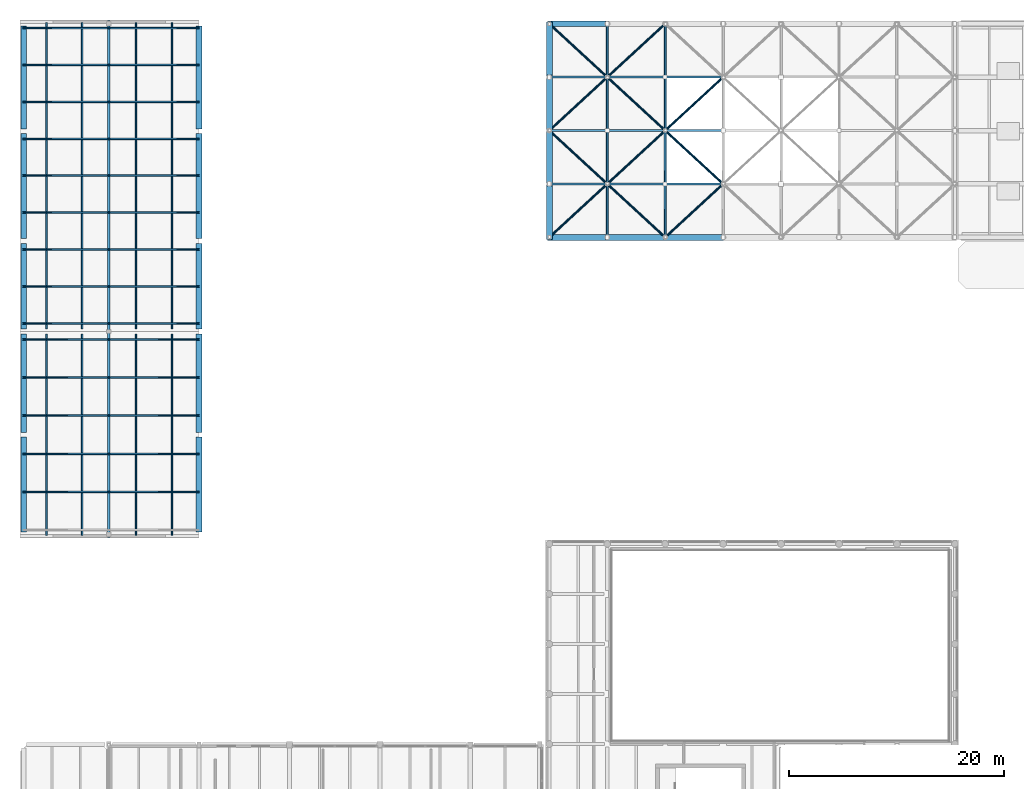
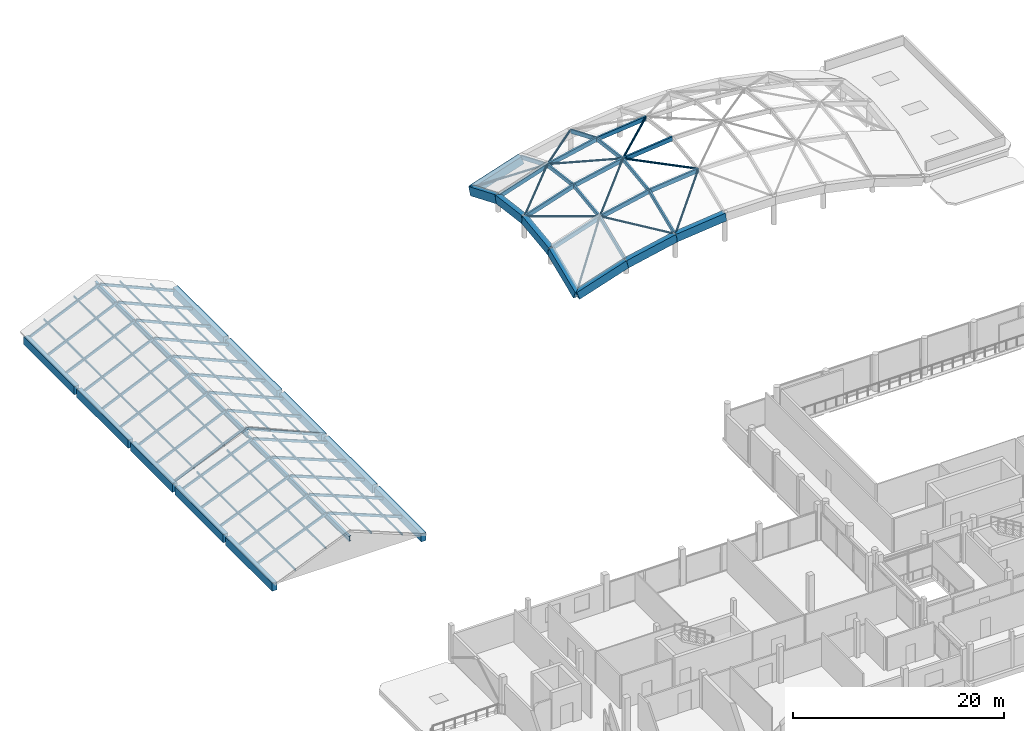
# One storey, part 19 of 66: 64 members, 20 beams.
"""IFC4 building model written with IfcOpenShell, lengths in metres."""

from ifc_helpers import new_model, si_unit, direction, frame, origin, origin_2d, place, context, subcontext, project, spatial, rectangle, hollow_circle, i_section, extrude, material, material_profile, profile_set, type_object, element, save


model = new_model("IFC4")

# Units and contexts
model_context = context("Model", 3, precision=1e-05, world=origin(), true_north=direction((0.0, 1.0)))
body_context = subcontext(model_context, "Body", "Model", "MODEL_VIEW")
ifc_project = project(units=[si_unit("LENGTHUNIT", "METRE"), si_unit("AREAUNIT", "SQUARE_METRE"), si_unit("VOLUMEUNIT", "CUBIC_METRE"), si_unit("PLANEANGLEUNIT", "RADIAN"), si_unit("MASSUNIT", "GRAM", prefix="KILO")], contexts=[model_context])

# Site, building, storey
site_placement = place(None, origin())
site = spatial("IfcSite", under=ifc_project, at=site_placement, CompositionType="ELEMENT")
building_placement = place(site_placement, origin())
building = spatial("IfcBuilding", under=site, at=building_placement, Name="Birchvale Park Specialist Clinic", CompositionType="ELEMENT")
storey_placement = place(building_placement, frame((0.0, 0.0, 5.39990234375)))
storey = spatial("IfcBuildingStorey", under=building, at=storey_placement, Name="L01", CompositionType="ELEMENT", Elevation=5.39990234375)

# Beams
ifc_material_1 = material(Name="Concrete C40/50", Category="concrete")
ifc_material_profile_1 = material_profile(ifc_material_1, rectangle(XDim=0.550048828125, YDim=0.93994140625, at=origin_2d()), Name="RCB-550x940")
ifc_profile_set_1 = profile_set([ifc_material_profile_1], Name="Concrete C40/50")
beam_type_1 = type_object("IfcBeamType", Name="BM-EXT-RB1", PredefinedType="BEAM", material=ifc_profile_set_1)
beam_1_placement = place(storey_placement, frame((52.14990234375, 91.550048828125, -0.64990234375), z_axis=(0.950354284012, 0.0, 0.311169945304), x_axis=(0.0, 1.0, 0.0)))
element("IfcBeam", 1, at=beam_1_placement, inside=storey, type_object=beam_type_1, Name="V3 gridshell perimeter ring beam 1", PredefinedType="BEAM", context=body_context, shape_type="SweptSolid", body=[
    extrude(rectangle(XDim=0.550048828125, YDim=0.93994140625, at=origin_2d()), origin(), (0.0, 0.0, 1.0), 5.6669921875),
])
beam_2_placement = place(storey_placement, frame((57.53564453125, 91.550048828125, 1.113525390625), z_axis=(0.978246670793, 0.0, 0.207445055574), x_axis=(0.0, 1.0, 0.0)))
element("IfcBeam", 2, at=beam_2_placement, inside=storey, type_object=beam_type_1, Name="V3 gridshell perimeter ring beam 2", PredefinedType="BEAM", context=body_context, shape_type="SweptSolid", body=[
    extrude(rectangle(XDim=0.550048828125, YDim=0.93994140625, at=origin_2d()), origin(), (0.0, 0.0, 1.0), 5.505615234375),
])
beam_3_placement = place(storey_placement, frame((62.92138671875, 91.550048828125, 2.255615234375), z_axis=(0.994608725176, 0.0, 0.103699005798), x_axis=(0.0, 1.0, 0.0)))
element("IfcBeam", 3, at=beam_3_placement, inside=storey, type_object=beam_type_1, Name="V3 gridshell perimeter ring beam 3", PredefinedType="BEAM", context=body_context, shape_type="SweptSolid", body=[
    extrude(rectangle(XDim=0.550048828125, YDim=0.93994140625, at=origin_2d()), origin(), (0.0, 0.0, 1.0), 5.4150390625),
])
beam_4_placement = place(storey_placement, frame((52.14990234375, 111.39990234375, -0.64990234375), z_axis=(0.950354284012, 0.0, 0.311169945304), x_axis=(0.0, 1.0, 0.0)))
element("IfcBeam", 4, at=beam_4_placement, inside=storey, type_object=beam_type_1, Name="V3 gridshell perimeter ring beam 8", PredefinedType="BEAM", context=body_context, shape_type="SweptSolid", body=[
    extrude(rectangle(XDim=0.550048828125, YDim=0.93994140625, at=origin_2d()), origin(), (0.0, 0.0, 1.0), 5.6669921875),
])
beam_5_placement = place(storey_placement, frame((52.14990234375, 91.550048828125, -0.64990234375), z_axis=(0.0, 0.922821506922, 0.385227810993), x_axis=(-1.0, 0.0, 0.0)))
element("IfcBeam", 5, at=beam_5_placement, inside=storey, type_object=beam_type_1, Name="V3 gridshell perimeter ring beam 15", PredefinedType="BEAM", context=body_context, shape_type="SweptSolid", body=[
    extrude(rectangle(XDim=0.550048828125, YDim=0.93994140625, at=origin_2d()), origin(), (0.0, 0.0, 1.0), 5.37744140625),
])
beam_6_placement = place(storey_placement, frame((52.14990234375, 96.512451171875, 1.421630859375), z_axis=(0.0, 0.99174587528, 0.128219026922), x_axis=(-1.0, 0.0, 0.0)))
element("IfcBeam", 6, at=beam_6_placement, inside=storey, type_object=beam_type_1, Name="V3 gridshell perimeter ring beam 16", PredefinedType="BEAM", context=body_context, shape_type="SweptSolid", body=[
    extrude(rectangle(XDim=0.550048828125, YDim=0.93994140625, at=origin_2d()), origin(), (0.0, 0.0, 1.0), 5.00390625),
])
beam_7_placement = place(storey_placement, frame((52.14990234375, 101.47509765625, 2.063232421875), z_axis=(0.0, 0.991745073115, -0.128225231337), x_axis=(-1.0, 0.0, 0.0)))
element("IfcBeam", 7, at=beam_7_placement, inside=storey, type_object=beam_type_1, Name="V3 gridshell perimeter ring beam 17", PredefinedType="BEAM", context=body_context, shape_type="SweptSolid", body=[
    extrude(rectangle(XDim=0.550048828125, YDim=0.93994140625, at=origin_2d()), origin(), (0.0, 0.0, 1.0), 5.003662109375),
])
beam_8_placement = place(storey_placement, frame((52.14990234375, 106.4375, 1.421630859375), z_axis=(0.0, 0.922821506922, -0.385227810993), x_axis=(-1.0, 0.0, 0.0)))
element("IfcBeam", 8, at=beam_8_placement, inside=storey, type_object=beam_type_1, Name="V3 gridshell perimeter ring beam 18", PredefinedType="BEAM", context=body_context, shape_type="SweptSolid", body=[
    extrude(rectangle(XDim=0.550048828125, YDim=0.93994140625, at=origin_2d()), origin(), (0.0, 0.0, 1.0), 5.37744140625),
])
beam_9_placement = place(storey_placement, frame((3.300048828125, 64.169921875, -0.679931640625), z_axis=(0.0, 1.0, 0.0), x_axis=(-1.0, 0.0, 0.0)))
element("IfcBeam", 9, at=beam_9_placement, inside=storey, type_object=beam_type_1, Name="L01 west pavilion eave girder 1.1", PredefinedType="BEAM", context=body_context, shape_type="SweptSolid", body=[
    extrude(rectangle(XDim=0.550048828125, YDim=0.93994140625, at=origin_2d()), origin(), (0.0, 0.0, 1.0), 8.81005859375),
])
beam_10_placement = place(storey_placement, frame((3.300048828125, 73.419921875, -0.679931640625), z_axis=(0.0, 1.0, 0.0), x_axis=(-1.0, 0.0, 0.0)))
element("IfcBeam", 10, at=beam_10_placement, inside=storey, type_object=beam_type_1, Name="L01 west pavilion eave girder 1.2", PredefinedType="BEAM", context=body_context, shape_type="SweptSolid", body=[
    extrude(rectangle(XDim=0.550048828125, YDim=0.93994140625, at=origin_2d()), origin(), (0.0, 0.0, 1.0), 9.16015625),
])
beam_11_placement = place(storey_placement, frame((3.300048828125, 83.02001953125, -0.679931640625), z_axis=(0.0, 1.0, 0.0), x_axis=(-1.0, 0.0, 0.0)))
element("IfcBeam", 11, at=beam_11_placement, inside=storey, type_object=beam_type_1, Name="L01 west pavilion eave girder 1.3", PredefinedType="BEAM", context=body_context, shape_type="SweptSolid", body=[
    extrude(rectangle(XDim=0.550048828125, YDim=0.93994140625, at=origin_2d()), origin(), (0.0, 0.0, 1.0), 7.9599609375),
])
beam_12_placement = place(storey_placement, frame((3.300048828125, 91.419921875, -0.679931640625), z_axis=(0.0, 1.0, 0.0), x_axis=(-1.0, 0.0, 0.0)))
element("IfcBeam", 12, at=beam_12_placement, inside=storey, type_object=beam_type_1, Name="L01 west pavilion eave girder 1.4", PredefinedType="BEAM", context=body_context, shape_type="SweptSolid", body=[
    extrude(rectangle(XDim=0.550048828125, YDim=0.93994140625, at=origin_2d()), origin(), (0.0, 0.0, 1.0), 9.760009765625),
])
beam_13_placement = place(storey_placement, frame((3.300048828125, 101.6201171875, -0.679931640625), z_axis=(0.0, 1.0, 0.0), x_axis=(-1.0, 0.0, 0.0)))
element("IfcBeam", 13, at=beam_13_placement, inside=storey, type_object=beam_type_1, Name="L01 west pavilion eave girder 1.5", PredefinedType="BEAM", context=body_context, shape_type="SweptSolid", body=[
    extrude(rectangle(XDim=0.550048828125, YDim=0.93994140625, at=origin_2d()), origin(), (0.0, 0.0, 1.0), 9.559814453125),
])
beam_14_placement = place(storey_placement, frame((19.60009765625, 64.169921875, -0.679931640625), z_axis=(0.0, 1.0, 0.0), x_axis=(-1.0, 0.0, 0.0)))
element("IfcBeam", 14, at=beam_14_placement, inside=storey, type_object=beam_type_1, Name="L01 west pavilion eave girder 2.1", PredefinedType="BEAM", context=body_context, shape_type="SweptSolid", body=[
    extrude(rectangle(XDim=0.550048828125, YDim=0.93994140625, at=origin_2d()), origin(), (0.0, 0.0, 1.0), 8.81005859375),
])
beam_15_placement = place(storey_placement, frame((19.60009765625, 73.419921875, -0.679931640625), z_axis=(0.0, 1.0, 0.0), x_axis=(-1.0, 0.0, 0.0)))
element("IfcBeam", 15, at=beam_15_placement, inside=storey, type_object=beam_type_1, Name="L01 west pavilion eave girder 2.2", PredefinedType="BEAM", context=body_context, shape_type="SweptSolid", body=[
    extrude(rectangle(XDim=0.550048828125, YDim=0.93994140625, at=origin_2d()), origin(), (0.0, 0.0, 1.0), 9.16015625),
])
beam_16_placement = place(storey_placement, frame((19.60009765625, 83.02001953125, -0.679931640625), z_axis=(0.0, 1.0, 0.0), x_axis=(-1.0, 0.0, 0.0)))
element("IfcBeam", 16, at=beam_16_placement, inside=storey, type_object=beam_type_1, Name="L01 west pavilion eave girder 2.3", PredefinedType="BEAM", context=body_context, shape_type="SweptSolid", body=[
    extrude(rectangle(XDim=0.550048828125, YDim=0.93994140625, at=origin_2d()), origin(), (0.0, 0.0, 1.0), 7.9599609375),
])
beam_17_placement = place(storey_placement, frame((19.60009765625, 91.419921875, -0.679931640625), z_axis=(0.0, 1.0, 0.0), x_axis=(-1.0, 0.0, 0.0)))
element("IfcBeam", 17, at=beam_17_placement, inside=storey, type_object=beam_type_1, Name="L01 west pavilion eave girder 2.4", PredefinedType="BEAM", context=body_context, shape_type="SweptSolid", body=[
    extrude(rectangle(XDim=0.550048828125, YDim=0.93994140625, at=origin_2d()), origin(), (0.0, 0.0, 1.0), 9.760009765625),
])
beam_18_placement = place(storey_placement, frame((19.60009765625, 101.6201171875, -0.679931640625), z_axis=(0.0, 1.0, 0.0), x_axis=(-1.0, 0.0, 0.0)))
element("IfcBeam", 18, at=beam_18_placement, inside=storey, type_object=beam_type_1, Name="L01 west pavilion eave girder 2.5", PredefinedType="BEAM", context=body_context, shape_type="SweptSolid", body=[
    extrude(rectangle(XDim=0.550048828125, YDim=0.93994140625, at=origin_2d()), origin(), (0.0, 0.0, 1.0), 9.559814453125),
])

# Members
ifc_material_2 = material(Name="Steel EN 10210 S355", Category="steel")
ifc_material_profile_2 = material_profile(ifc_material_2, hollow_circle(Radius=0.109619140625, WallThickness=0.010009765625, at=origin_2d()), Name="CHS219.1X10")
ifc_profile_set_2 = profile_set([ifc_material_profile_2], Name="Steel EN 10210 S355")
member_type_1 = type_object("IfcMemberType", Name="MEM-BR2", PredefinedType="BRACE", material=ifc_profile_set_2)
member_1_placement = place(storey_placement, frame((52.17919921875, 91.576904296875, -0.298583984375), z_axis=(0.651493966934, 0.600317951383, 0.463868481681), x_axis=(-0.67763312949, 0.735400123618, 0.0)))
element("IfcMember", 19, at=member_1_placement, inside=storey, type_object=member_type_1, Name="V3 gridshell tubular steel diagonal 1", PredefinedType="BRACE", context=body_context, shape_type="SweptSolid", body=[
    extrude(hollow_circle(Radius=0.109619140625, WallThickness=0.010009765625, at=origin_2d()), origin(), (0.0, 0.0, 1.0), 8.1767578125),
])
for number, where, z_axis, x_axis, name in (
    (20, (57.5029296875, 96.54248046875, 3.508544921875), (-0.726925116428, 0.669817196121, -0.151409375159), (-0.677629489408, -0.735403477748, 0.0), "V3 gridshell tubular steel diagonal 2"),
    (21, (52.1826171875, 101.505126953125, 2.400390625), (0.726925116428, 0.669817196121, 0.151409375159), (-0.677629489408, 0.735403477748, 0.0), "V3 gridshell tubular steel diagonal 3"),
):
    element("IfcMember", number, at=place(storey_placement, frame(where, z_axis=z_axis, x_axis=x_axis)), inside=storey, type_object=member_type_1, Name=name, PredefinedType="BRACE", context=body_context, shape_type="SweptSolid", body=[
        extrude(hollow_circle(Radius=0.109619140625, WallThickness=0.010009765625, at=origin_2d()), origin(), (0.0, 0.0, 1.0), 7.31884765625),
    ])
member_2_placement = place(storey_placement, frame((57.50634765625, 106.464599609375, 3.494384765625), z_axis=(-0.65150564439, 0.600298853367, -0.463876796116), x_axis=(-0.677614901817, -0.735416919057, 0.0)))
element("IfcMember", 22, at=member_2_placement, inside=storey, type_object=member_type_1, Name="V3 gridshell tubular steel diagonal 4", PredefinedType="BRACE", context=body_context, shape_type="SweptSolid", body=[
    extrude(hollow_circle(Radius=0.109619140625, WallThickness=0.010009765625, at=origin_2d()), origin(), (0.0, 0.0, 1.0), 8.1767578125),
])
member_3_placement = place(storey_placement, frame((62.888671875, 91.580322265625, 2.591796875), z_axis=(-0.729571104046, 0.672219201828, 0.125886253555), x_axis=(-0.677609803265, -0.735421616842, 0.0)))
element("IfcMember", 23, at=member_3_placement, inside=storey, type_object=member_type_1, Name="V3 gridshell tubular steel diagonal 5", PredefinedType="BRACE", context=body_context, shape_type="SweptSolid", body=[
    extrude(hollow_circle(Radius=0.109619140625, WallThickness=0.010009765625, at=origin_2d()), origin(), (0.0, 0.0, 1.0), 7.2919921875),
])
for number, where, z_axis, x_axis, name in (
    (24, (57.56787109375, 96.5419921875, 3.52587890625), (0.714503497203, 0.658381732328, 0.236681742054), (-0.677635223468, 0.73539819412, 0.0), "V3 gridshell tubular steel diagonal 6"),
    (25, (62.88916015625, 101.504638671875, 5.28857421875), (-0.714503497203, 0.658381732328, -0.236681742054), (-0.677635223468, -0.73539819412, 0.0), "V3 gridshell tubular steel diagonal 7"),
):
    element("IfcMember", number, at=place(storey_placement, frame(where, z_axis=z_axis, x_axis=x_axis)), inside=storey, type_object=member_type_1, Name=name, PredefinedType="BRACE", context=body_context, shape_type="SweptSolid", body=[
        extrude(hollow_circle(Radius=0.109619140625, WallThickness=0.010009765625, at=origin_2d()), origin(), (0.0, 0.0, 1.0), 7.447509765625),
    ])
member_4_placement = place(storey_placement, frame((57.568603515625, 106.4677734375, 3.509765625), z_axis=(0.729571104046, 0.672219201828, -0.125886253555), x_axis=(-0.677609803265, 0.735421616842, 0.0)))
element("IfcMember", 26, at=member_4_placement, inside=storey, type_object=member_type_1, Name="V3 gridshell tubular steel diagonal 8", PredefinedType="BRACE", context=body_context, shape_type="SweptSolid", body=[
    extrude(hollow_circle(Radius=0.109619140625, WallThickness=0.010009765625, at=origin_2d()), origin(), (0.0, 0.0, 1.0), 7.2919921875),
])
member_5_placement = place(storey_placement, frame((62.952392578125, 91.57861328125, 2.601318359375), z_axis=(0.692036696517, 0.637670319028, 0.338321998847), x_axis=(-0.677629877775, 0.735403119892, 0.0)))
element("IfcMember", 27, at=member_5_placement, inside=storey, type_object=member_type_1, Name="V3 gridshell tubular steel diagonal 9", PredefinedType="BRACE", context=body_context, shape_type="SweptSolid", body=[
    extrude(hollow_circle(Radius=0.109619140625, WallThickness=0.010009765625, at=origin_2d()), origin(), (0.0, 0.0, 1.0), 7.6923828125),
])
member_6_placement = place(storey_placement, frame((68.27392578125, 96.54296875, 5.219482421875), z_axis=(-0.735347974764, 0.677601491157, 0.010935044236), x_axis=(-0.677642006955, -0.735391943395, 0.0)))
element("IfcMember", 28, at=member_6_placement, inside=storey, type_object=member_type_1, Name="V3 gridshell tubular steel diagonal 10", PredefinedType="BRACE", context=body_context, shape_type="SweptSolid", body=[
    extrude(hollow_circle(Radius=0.109619140625, WallThickness=0.010009765625, at=origin_2d()), origin(), (0.0, 0.0, 1.0), 7.23388671875),
])
member_7_placement = place(storey_placement, frame((62.95458984375, 101.505615234375, 5.298583984375), z_axis=(0.7353647917, 0.67758323656, -0.010935294314), x_axis=(-0.677623753119, 0.735408763348, 0.0)))
element("IfcMember", 29, at=member_7_placement, inside=storey, type_object=member_type_1, Name="V3 gridshell tubular steel diagonal 11", PredefinedType="BRACE", context=body_context, shape_type="SweptSolid", body=[
    extrude(hollow_circle(Radius=0.109619140625, WallThickness=0.010009765625, at=origin_2d()), origin(), (0.0, 0.0, 1.0), 7.233642578125),
])
ifc_material_3 = material(Name="Glulam GL28h", Category="wood")
ifc_material_profile_3 = material_profile(ifc_material_3, rectangle(XDim=0.199951171875, YDim=0.47998046875, at=origin_2d()), Name="GL-200x480")
ifc_profile_set_3 = profile_set([ifc_material_profile_3], Name="Glulam GL28h")
member_type_2 = type_object("IfcMemberType", Name="MEM-GC3", PredefinedType="CHORD", material=ifc_profile_set_3)
member_8_placement = place(storey_placement, frame((52.14990234375, 96.512451171875, 1.626708984375), z_axis=(0.950367023203, 0.0, 0.31113103543), x_axis=(0.0, 1.0, 0.0)))
element("IfcMember", 30, at=member_8_placement, inside=storey, type_object=member_type_2, Name="V3 gridshell longitudinal glulam rib 1", PredefinedType="CHORD", context=body_context, shape_type="SweptSolid", body=[
    extrude(rectangle(XDim=0.199951171875, YDim=0.47998046875, at=origin_2d()), origin(), (0.0, 0.0, 1.0), 5.6669921875),
])
member_9_placement = place(storey_placement, frame((57.53564453125, 96.512451171875, 3.389892578125), z_axis=(0.978246670793, 0.0, 0.207445055574), x_axis=(0.0, 1.0, 0.0)))
element("IfcMember", 31, at=member_9_placement, inside=storey, type_object=member_type_2, Name="V3 gridshell longitudinal glulam rib 2", PredefinedType="CHORD", context=body_context, shape_type="SweptSolid", body=[
    extrude(rectangle(XDim=0.199951171875, YDim=0.47998046875, at=origin_2d()), origin(), (0.0, 0.0, 1.0), 5.505615234375),
])
member_10_placement = place(storey_placement, frame((62.92138671875, 96.512451171875, 4.531982421875), z_axis=(0.994608725176, 0.0, 0.103699005798), x_axis=(0.0, 1.0, 0.0)))
element("IfcMember", 32, at=member_10_placement, inside=storey, type_object=member_type_2, Name="V3 gridshell longitudinal glulam rib 3", PredefinedType="CHORD", context=body_context, shape_type="SweptSolid", body=[
    extrude(rectangle(XDim=0.199951171875, YDim=0.47998046875, at=origin_2d()), origin(), (0.0, 0.0, 1.0), 5.4150390625),
])
member_11_placement = place(storey_placement, frame((52.14990234375, 101.47509765625, 2.268310546875), z_axis=(0.950354284012, 0.0, 0.311169945304), x_axis=(0.0, 1.0, 0.0)))
element("IfcMember", 33, at=member_11_placement, inside=storey, type_object=member_type_2, Name="V3 gridshell longitudinal glulam rib 8", PredefinedType="CHORD", context=body_context, shape_type="SweptSolid", body=[
    extrude(rectangle(XDim=0.199951171875, YDim=0.47998046875, at=origin_2d()), origin(), (0.0, 0.0, 1.0), 5.6669921875),
])
member_12_placement = place(storey_placement, frame((57.53564453125, 101.47509765625, 4.03173828125), z_axis=(0.978255668957, 0.0, 0.207402618482), x_axis=(0.0, 1.0, 0.0)))
element("IfcMember", 34, at=member_12_placement, inside=storey, type_object=member_type_2, Name="V3 gridshell longitudinal glulam rib 9", PredefinedType="CHORD", context=body_context, shape_type="SweptSolid", body=[
    extrude(rectangle(XDim=0.199951171875, YDim=0.47998046875, at=origin_2d()), origin(), (0.0, 0.0, 1.0), 5.50537109375),
])
member_13_placement = place(storey_placement, frame((62.92138671875, 101.47509765625, 5.173583984375), z_axis=(0.994604073977, 0.0, 0.103743607172), x_axis=(0.0, 1.0, 0.0)))
element("IfcMember", 35, at=member_13_placement, inside=storey, type_object=member_type_2, Name="V3 gridshell longitudinal glulam rib 10", PredefinedType="CHORD", context=body_context, shape_type="SweptSolid", body=[
    extrude(rectangle(XDim=0.199951171875, YDim=0.47998046875, at=origin_2d()), origin(), (0.0, 0.0, 1.0), 5.4150390625),
])
member_14_placement = place(storey_placement, frame((52.14990234375, 106.4375, 1.626708984375), z_axis=(0.950367023203, 0.0, 0.31113103543), x_axis=(0.0, 1.0, 0.0)))
element("IfcMember", 36, at=member_14_placement, inside=storey, type_object=member_type_2, Name="V3 gridshell longitudinal glulam rib 15", PredefinedType="CHORD", context=body_context, shape_type="SweptSolid", body=[
    extrude(rectangle(XDim=0.199951171875, YDim=0.47998046875, at=origin_2d()), origin(), (0.0, 0.0, 1.0), 5.6669921875),
])
member_15_placement = place(storey_placement, frame((57.53564453125, 106.4375, 3.389892578125), z_axis=(0.978246670793, 0.0, 0.207445055574), x_axis=(0.0, 1.0, 0.0)))
element("IfcMember", 37, at=member_15_placement, inside=storey, type_object=member_type_2, Name="V3 gridshell longitudinal glulam rib 16", PredefinedType="CHORD", context=body_context, shape_type="SweptSolid", body=[
    extrude(rectangle(XDim=0.199951171875, YDim=0.47998046875, at=origin_2d()), origin(), (0.0, 0.0, 1.0), 5.505615234375),
])
member_16_placement = place(storey_placement, frame((62.92138671875, 106.4375, 4.531982421875), z_axis=(0.994608725176, 0.0, 0.103699005798), x_axis=(0.0, 1.0, 0.0)))
element("IfcMember", 38, at=member_16_placement, inside=storey, type_object=member_type_2, Name="V3 gridshell longitudinal glulam rib 17", PredefinedType="CHORD", context=body_context, shape_type="SweptSolid", body=[
    extrude(rectangle(XDim=0.199951171875, YDim=0.47998046875, at=origin_2d()), origin(), (0.0, 0.0, 1.0), 5.4150390625),
])
ifc_material_profile_4 = material_profile(ifc_material_3, rectangle(XDim=0.179931640625, YDim=0.419921875, at=origin_2d()), Name="GL-180x420")
ifc_profile_set_4 = profile_set([ifc_material_profile_4], Name="Glulam GL28h")
member_type_3 = type_object("IfcMemberType", Name="MEM-GC4", PredefinedType="CHORD", material=ifc_profile_set_4)
member_17_placement = place(storey_placement, frame((57.53564453125, 91.550048828125, 1.318603515625), z_axis=(0.0, 0.922837646305, 0.385189146475), x_axis=(-1.0, 0.0, 0.0)))
element("IfcMember", 39, at=member_17_placement, inside=storey, type_object=member_type_3, Name="V3 gridshell transverse glulam rib 22", PredefinedType="CHORD", context=body_context, shape_type="SweptSolid", body=[
    extrude(rectangle(XDim=0.179931640625, YDim=0.419921875, at=origin_2d()), origin(), (0.0, 0.0, 1.0), 5.37744140625),
])
member_18_placement = place(storey_placement, frame((57.53564453125, 96.512451171875, 3.389892578125), z_axis=(0.0, 0.991739670041, 0.128267013949), x_axis=(-1.0, 0.0, 0.0)))
element("IfcMember", 40, at=member_18_placement, inside=storey, type_object=member_type_3, Name="V3 gridshell transverse glulam rib 23", PredefinedType="CHORD", context=body_context, shape_type="SweptSolid", body=[
    extrude(rectangle(XDim=0.179931640625, YDim=0.419921875, at=origin_2d()), origin(), (0.0, 0.0, 1.0), 5.00390625),
])
member_19_placement = place(storey_placement, frame((57.53564453125, 101.47509765625, 4.03173828125), z_axis=(0.0, 0.991738867281, -0.128273220608), x_axis=(-1.0, 0.0, 0.0)))
element("IfcMember", 41, at=member_19_placement, inside=storey, type_object=member_type_3, Name="V3 gridshell transverse glulam rib 24", PredefinedType="CHORD", context=body_context, shape_type="SweptSolid", body=[
    extrude(rectangle(XDim=0.179931640625, YDim=0.419921875, at=origin_2d()), origin(), (0.0, 0.0, 1.0), 5.003662109375),
])
for number, where, z_axis, x_axis, name in (
    (42, (57.53564453125, 106.4375, 3.389892578125), (0.0, 0.922837646305, -0.385189146475), (-1.0, 0.0, 0.0), "V3 gridshell transverse glulam rib 25"),
    (43, (62.92138671875, 91.550048828125, 2.460693359375), (0.0, 0.922837646305, 0.385189146475), (-1.0, 0.0, 0.0), "V3 gridshell transverse glulam rib 26"),
):
    element("IfcMember", number, at=place(storey_placement, frame(where, z_axis=z_axis, x_axis=x_axis)), inside=storey, type_object=member_type_3, Name=name, PredefinedType="CHORD", context=body_context, shape_type="SweptSolid", body=[
        extrude(rectangle(XDim=0.179931640625, YDim=0.419921875, at=origin_2d()), origin(), (0.0, 0.0, 1.0), 5.37744140625),
    ])
member_20_placement = place(storey_placement, frame((62.92138671875, 96.512451171875, 4.531982421875), z_axis=(0.0, 0.99174587528, 0.128219026922), x_axis=(-1.0, 0.0, 0.0)))
element("IfcMember", 44, at=member_20_placement, inside=storey, type_object=member_type_3, Name="V3 gridshell transverse glulam rib 27", PredefinedType="CHORD", context=body_context, shape_type="SweptSolid", body=[
    extrude(rectangle(XDim=0.179931640625, YDim=0.419921875, at=origin_2d()), origin(), (0.0, 0.0, 1.0), 5.00390625),
])
member_21_placement = place(storey_placement, frame((62.92138671875, 101.47509765625, 5.173583984375), z_axis=(0.0, 0.991745073115, -0.128225231337), x_axis=(-1.0, 0.0, 0.0)))
element("IfcMember", 45, at=member_21_placement, inside=storey, type_object=member_type_3, Name="V3 gridshell transverse glulam rib 28", PredefinedType="CHORD", context=body_context, shape_type="SweptSolid", body=[
    extrude(rectangle(XDim=0.179931640625, YDim=0.419921875, at=origin_2d()), origin(), (0.0, 0.0, 1.0), 5.003662109375),
])
member_22_placement = place(storey_placement, frame((62.92138671875, 106.4375, 4.531982421875), z_axis=(0.0, 0.922837646305, -0.385189146475), x_axis=(-1.0, 0.0, 0.0)))
element("IfcMember", 46, at=member_22_placement, inside=storey, type_object=member_type_3, Name="V3 gridshell transverse glulam rib 29", PredefinedType="CHORD", context=body_context, shape_type="SweptSolid", body=[
    extrude(rectangle(XDim=0.179931640625, YDim=0.419921875, at=origin_2d()), origin(), (0.0, 0.0, 1.0), 5.37744140625),
])
ifc_material_profile_5 = material_profile(ifc_material_3, rectangle(XDim=0.1201171875, YDim=0.199951171875, at=origin_2d()), Name="GL-120x200")
ifc_profile_set_5 = profile_set([ifc_material_profile_5], Name="Glulam GL28h")
member_type_4 = type_object("IfcMemberType", Name="MEM-GP2", PredefinedType="PURLIN", material=ifc_profile_set_5)
for number, where, z_axis, x_axis, name in (
    (47, (5.425048828125, 63.85009765625, 0.679443359375), (0.0, 1.0, 0.0), (-1.0, 0.0, 0.0), "L01 glulam roof purlin V2-L01-WP1 W.1"),
    (48, (8.72509765625, 63.85009765625, 2.039306640625), (0.0, 1.0, 0.0), (-1.0, 0.0, 0.0), "L01 glulam roof purlin V2-L01-WP1 W.2"),
    (49, (13.719970703125, 63.85009765625, 2.040283203125), (0.0, 1.0, 0.0), (-1.0, 0.0, 0.0), "L01 glulam roof purlin V2-L01-WP1 E.1"),
    (50, (17.080078125, 63.85009765625, 0.68017578125), (0.0, 1.0, 0.0), (-1.0, 0.0, 0.0), "L01 glulam roof purlin V2-L01-WP1 E.2"),
):
    element("IfcMember", number, at=place(storey_placement, frame(where, z_axis=z_axis, x_axis=x_axis)), inside=storey, type_object=member_type_4, Name=name, PredefinedType="PURLIN", context=body_context, shape_type="SweptSolid", body=[
        extrude(rectangle(XDim=0.1201171875, YDim=0.199951171875, at=origin_2d()), origin(), (0.0, 0.0, 1.0), 18.699951171875),
    ])
for number, where, z_axis, x_axis, name in (
    (51, (5.425048828125, 83.050048828125, 0.764892578125), (0.0, 1.0, 0.0), (-1.0, 0.0, 0.0), "L01 glulam roof purlin V2-L01-WP2 W.1"),
    (52, (8.72509765625, 83.050048828125, 2.244873046875), (0.0, 1.0, 0.0), (-1.0, 0.0, 0.0), "L01 glulam roof purlin V2-L01-WP2 W.2"),
    (53, (13.719970703125, 83.050048828125, 2.245849609375), (0.0, 1.0, 0.0), (-1.0, 0.0, 0.0), "L01 glulam roof purlin V2-L01-WP2 E.1"),
    (54, (17.080078125, 83.050048828125, 0.765869140625), (0.0, 1.0, 0.0), (-1.0, 0.0, 0.0), "L01 glulam roof purlin V2-L01-WP2 E.2"),
):
    element("IfcMember", number, at=place(storey_placement, frame(where, z_axis=z_axis, x_axis=x_axis)), inside=storey, type_object=member_type_4, Name=name, PredefinedType="PURLIN", context=body_context, shape_type="SweptSolid", body=[
        extrude(rectangle(XDim=0.1201171875, YDim=0.199951171875, at=origin_2d()), origin(), (0.0, 0.0, 1.0), 28.449951171875),
    ])
ifc_material_profile_6 = material_profile(ifc_material_3, rectangle(XDim=0.139892578125, YDim=0.280029296875, at=origin_2d()), Name="GL-140x280")
ifc_profile_set_6 = profile_set([ifc_material_profile_6], Name="Glulam GL28h")
member_type_5 = type_object("IfcMemberType", Name="MEM-GR3", PredefinedType="RAFTER", material=ifc_profile_set_6)
for number, where, z_axis, x_axis, name in (
    (55, (3.27001953125, 67.889892578125, -0.46826171875), (0.924558216687, 0.0, 0.381040816655), (0.0, 1.0, 0.0), "L01 glulam roof rafter V2-L01-WP1 W.2"),
    (56, (3.27001953125, 71.429931640625, -0.46826171875), (0.924558216687, 0.0, 0.381040816655), (0.0, 1.0, 0.0), "L01 glulam roof rafter V2-L01-WP1 W.3"),
    (57, (3.27001953125, 74.969970703125, -0.46826171875), (0.924558216687, 0.0, 0.381040816655), (0.0, 1.0, 0.0), "L01 glulam roof rafter V2-L01-WP1 W.4"),
    (58, (3.27001953125, 78.510009765625, -0.46826171875), (0.924558216687, 0.0, 0.381040816655), (0.0, 1.0, 0.0), "L01 glulam roof rafter V2-L01-WP1 W.5"),
    (59, (3.27001953125, 82.050048828125, -0.46826171875), (0.924558216687, 0.0, 0.381040816655), (0.0, 1.0, 0.0), "L01 glulam roof rafter V2-L01-WP1 W.6"),
):
    element("IfcMember", number, at=place(storey_placement, frame(where, z_axis=z_axis, x_axis=x_axis)), inside=storey, type_object=member_type_5, Name=name, PredefinedType="RAFTER", context=body_context, shape_type="SweptSolid", body=[
        extrude(rectangle(XDim=0.139892578125, YDim=0.280029296875, at=origin_2d()), origin(), (0.0, 0.0, 1.0), 8.52294921875),
    ])
for number, where, z_axis, x_axis, name in (
    (60, (11.25, 67.889892578125, 2.78125), (0.92694387814, 0.0, -0.375200009033), (0.0, 1.0, 0.0), "L01 glulam roof rafter V2-L01-WP1 E.2"),
    (61, (11.25, 71.429931640625, 2.78125), (0.92694387814, 0.0, -0.375200009033), (0.0, 1.0, 0.0), "L01 glulam roof rafter V2-L01-WP1 E.3"),
    (62, (11.25, 74.969970703125, 2.78125), (0.92694387814, 0.0, -0.375200009033), (0.0, 1.0, 0.0), "L01 glulam roof rafter V2-L01-WP1 E.4"),
    (63, (11.25, 78.510009765625, 2.78125), (0.92694387814, 0.0, -0.375200009033), (0.0, 1.0, 0.0), "L01 glulam roof rafter V2-L01-WP1 E.5"),
    (64, (11.25, 82.050048828125, 2.78125), (0.92694387814, 0.0, -0.375200009033), (0.0, 1.0, 0.0), "L01 glulam roof rafter V2-L01-WP1 E.6"),
):
    element("IfcMember", number, at=place(storey_placement, frame(where, z_axis=z_axis, x_axis=x_axis)), inside=storey, type_object=member_type_5, Name=name, PredefinedType="RAFTER", context=body_context, shape_type="SweptSolid", body=[
        extrude(rectangle(XDim=0.139892578125, YDim=0.280029296875, at=origin_2d()), origin(), (0.0, 0.0, 1.0), 8.9541015625),
    ])
for number, where, z_axis, x_axis, name in (
    (65, (3.27001953125, 83.550048828125, -0.464599609375), (0.912441268053, 0.0, 0.409207688532), (0.0, 1.0, 0.0), "L01 glulam roof rafter V2-L01-WP2 W.1"),
    (66, (3.27001953125, 86.981201171875, -0.464599609375), (0.912441268053, 0.0, 0.409207688532), (0.0, 1.0, 0.0), "L01 glulam roof rafter V2-L01-WP2 W.2"),
    (67, (3.27001953125, 90.41259765625, -0.464599609375), (0.912441268053, 0.0, 0.409207688532), (0.0, 1.0, 0.0), "L01 glulam roof rafter V2-L01-WP2 W.3"),
    (68, (3.27001953125, 93.84375, -0.464599609375), (0.912441268053, 0.0, 0.409207688532), (0.0, 1.0, 0.0), "L01 glulam roof rafter V2-L01-WP2 W.4"),
    (69, (3.27001953125, 97.27490234375, -0.464599609375), (0.912441268053, 0.0, 0.409207688532), (0.0, 1.0, 0.0), "L01 glulam roof rafter V2-L01-WP2 W.5"),
    (70, (3.27001953125, 100.706298828125, -0.464599609375), (0.912441268053, 0.0, 0.409207688532), (0.0, 1.0, 0.0), "L01 glulam roof rafter V2-L01-WP2 W.6"),
    (71, (3.27001953125, 104.137451171875, -0.464599609375), (0.912441268053, 0.0, 0.409207688532), (0.0, 1.0, 0.0), "L01 glulam roof rafter V2-L01-WP2 W.7"),
    (72, (3.27001953125, 107.568603515625, -0.464599609375), (0.912441268053, 0.0, 0.409207688532), (0.0, 1.0, 0.0), "L01 glulam roof rafter V2-L01-WP2 W.8"),
    (73, (3.27001953125, 111.0, -0.464599609375), (0.912441268053, 0.0, 0.409207688532), (0.0, 1.0, 0.0), "L01 glulam roof rafter V2-L01-WP2 W.9"),
):
    element("IfcMember", number, at=place(storey_placement, frame(where, z_axis=z_axis, x_axis=x_axis)), inside=storey, type_object=member_type_5, Name=name, PredefinedType="RAFTER", context=body_context, shape_type="SweptSolid", body=[
        extrude(rectangle(XDim=0.139892578125, YDim=0.280029296875, at=origin_2d()), origin(), (0.0, 0.0, 1.0), 8.635986328125),
    ])
for number, where, z_axis, x_axis, name in (
    (74, (11.25, 83.550048828125, 3.071533203125), (0.915153013574, 0.0, -0.403106638182), (0.0, 1.0, 0.0), "L01 glulam roof rafter V2-L01-WP2 E.1"),
    (75, (11.25, 86.981201171875, 3.071533203125), (0.915153013574, 0.0, -0.403106638182), (0.0, 1.0, 0.0), "L01 glulam roof rafter V2-L01-WP2 E.2"),
    (76, (11.25, 90.41259765625, 3.071533203125), (0.915153013574, 0.0, -0.403106638182), (0.0, 1.0, 0.0), "L01 glulam roof rafter V2-L01-WP2 E.3"),
    (77, (11.25, 93.84375, 3.071533203125), (0.915153013574, 0.0, -0.403106638182), (0.0, 1.0, 0.0), "L01 glulam roof rafter V2-L01-WP2 E.4"),
    (78, (11.25, 97.27490234375, 3.071533203125), (0.915153013574, 0.0, -0.403106638182), (0.0, 1.0, 0.0), "L01 glulam roof rafter V2-L01-WP2 E.5"),
    (79, (11.25, 100.706298828125, 3.071533203125), (0.915153013574, 0.0, -0.403106638182), (0.0, 1.0, 0.0), "L01 glulam roof rafter V2-L01-WP2 E.6"),
    (80, (11.25, 104.137451171875, 3.071533203125), (0.915153013574, 0.0, -0.403106638182), (0.0, 1.0, 0.0), "L01 glulam roof rafter V2-L01-WP2 E.7"),
    (81, (11.25, 107.568603515625, 3.071533203125), (0.915153013574, 0.0, -0.403106638182), (0.0, 1.0, 0.0), "L01 glulam roof rafter V2-L01-WP2 E.8"),
    (82, (11.25, 111.0, 3.071533203125), (0.915153013574, 0.0, -0.403106638182), (0.0, 1.0, 0.0), "L01 glulam roof rafter V2-L01-WP2 E.9"),
):
    element("IfcMember", number, at=place(storey_placement, frame(where, z_axis=z_axis, x_axis=x_axis)), inside=storey, type_object=member_type_5, Name=name, PredefinedType="RAFTER", context=body_context, shape_type="SweptSolid", body=[
        extrude(rectangle(XDim=0.139892578125, YDim=0.280029296875, at=origin_2d()), origin(), (0.0, 0.0, 1.0), 9.069580078125),
    ])

# Beams
ifc_material_4 = material(Name="Steel ASTM A992 Grade 50", Category="steel")
ifc_material_profile_7 = material_profile(ifc_material_4, i_section(OverallWidth=0.22900390625, OverallDepth=0.612060546875, WebThickness=0.011962890625, FlangeThickness=0.01953125, at=origin_2d()), Name="W24X84")
ifc_profile_set_7 = profile_set([ifc_material_profile_7], Name="Steel ASTM A992 Grade 50")
beam_type_2 = type_object("IfcBeamType", Name="STL-EXT-SB2", PredefinedType="BEAM", material=ifc_profile_set_7)
beam_19_placement = place(storey_placement, frame((11.199951171875, 63.6201171875, 2.419189453125), z_axis=(0.0, 1.0, 0.0), x_axis=(-1.0, 0.0, 0.0)))
element("IfcBeam", 83, at=beam_19_placement, inside=storey, type_object=beam_type_2, Name="L01 gable ridge beam V2-L01-WP1", PredefinedType="BEAM", context=body_context, shape_type="SweptSolid", body=[
    extrude(i_section(OverallWidth=0.22900390625, OverallDepth=0.612060546875, WebThickness=0.011962890625, FlangeThickness=0.01953125, at=origin_2d()), origin(), (0.0, 0.0, 1.0), 19.159912109375),
])
beam_20_placement = place(storey_placement, frame((11.199951171875, 82.820068359375, 2.718994140625), z_axis=(0.0, 1.0, 0.0), x_axis=(-1.0, 0.0, 0.0)))
element("IfcBeam", 84, at=beam_20_placement, inside=storey, type_object=beam_type_2, Name="L01 gable ridge beam V2-L01-WP2", PredefinedType="BEAM", context=body_context, shape_type="SweptSolid", body=[
    extrude(i_section(OverallWidth=0.22900390625, OverallDepth=0.612060546875, WebThickness=0.011962890625, FlangeThickness=0.01953125, at=origin_2d()), origin(), (0.0, 0.0, 1.0), 28.909912109375),
])

save(model, "model.ifc")
